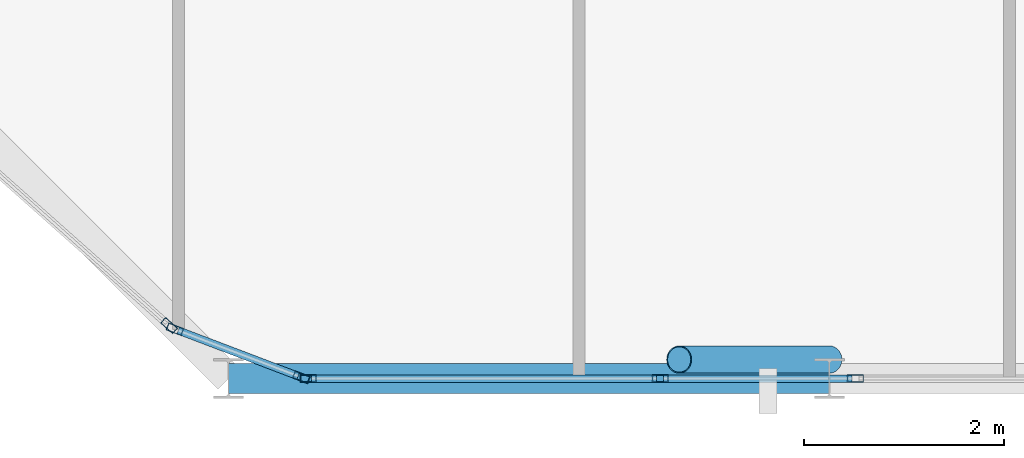
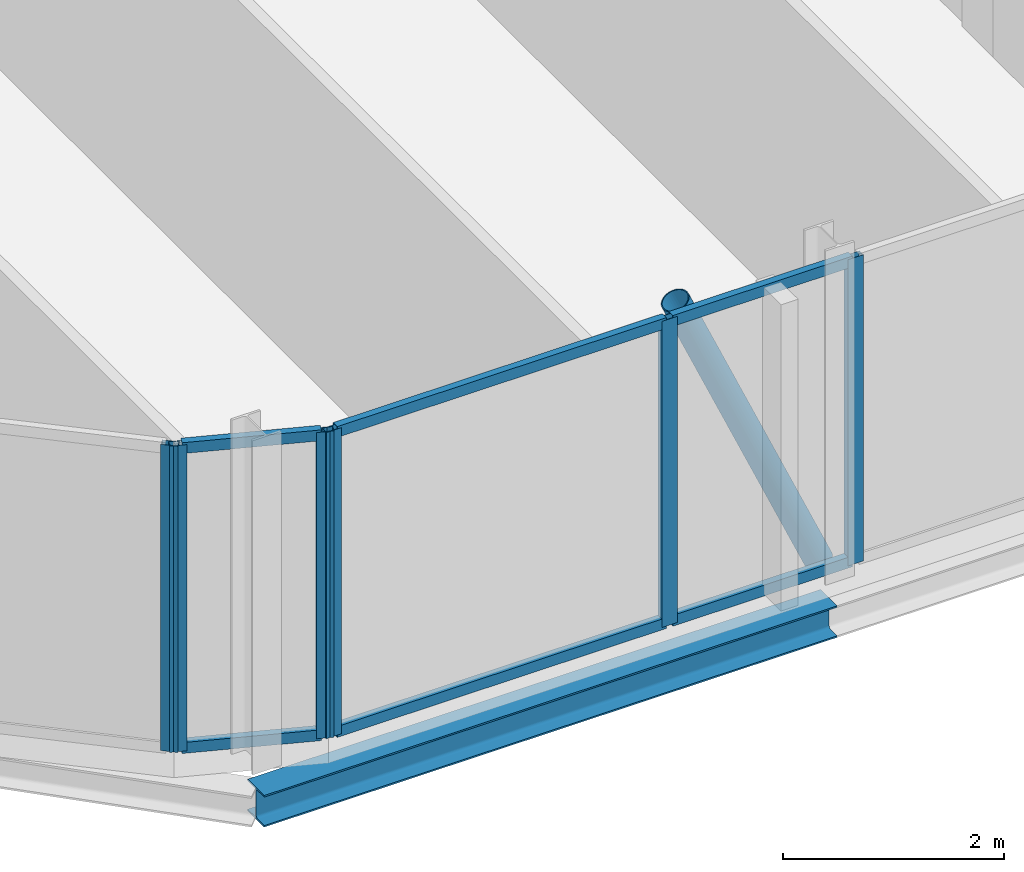
# One storey, part 6 of 27: 13 members, 1 beam, 5 elements without a shape of their own.
"""IFC4 building model written with IfcOpenShell, lengths in metres."""

from ifc_helpers import new_model, si_unit, direction, frame, origin, origin_2d, place, context, subcontext, project, spatial, hollow_rectangle, hollow_circle, i_section, extrude, material, layer, layer_set, material_profile, profile_set, type_object, element, aggregate, save


model = new_model("IFC4")

# Units and contexts
model_context = context("Model", 3, precision=1e-05, world=origin(), true_north=direction((0.0, 1.0)))
body_context = subcontext(model_context, "Body", "Model", "MODEL_VIEW")
ifc_project = project(units=[si_unit("LENGTHUNIT", "METRE"), si_unit("AREAUNIT", "SQUARE_METRE"), si_unit("VOLUMEUNIT", "CUBIC_METRE"), si_unit("PLANEANGLEUNIT", "RADIAN"), si_unit("MASSUNIT", "GRAM", prefix="KILO")], contexts=[model_context])

# Site, building, storey
site_placement = place(None, origin())
site = spatial("IfcSite", under=ifc_project, at=site_placement, CompositionType="ELEMENT")
building_placement = place(site_placement, origin())
building = spatial("IfcBuilding", under=site, at=building_placement, Name="Keshet Zoharim Tower", CompositionType="ELEMENT")
storey_placement = place(building_placement, frame((0.0, 0.0, 273.199951171875)))
storey = spatial("IfcBuildingStorey", under=building, at=storey_placement, Name="L68", CompositionType="ELEMENT", Elevation=273.199951171875)

# Beam
ifc_material_1 = material(Name="Steel S355", Category="steel")
ifc_material_profile_1 = material_profile(ifc_material_1, i_section(OverallWidth=0.300048828125, OverallDepth=0.35009765625, WebThickness=0.010009765625, FlangeThickness=0.017578125, FilletRadius=0.027099609375, at=origin_2d()), Name="HEA360")
ifc_profile_set_1 = profile_set([ifc_material_profile_1], Name="Steel S355")
beam_type = type_object("IfcBeamType", Name="BM-PRI-HA360", PredefinedType="BEAM", material=ifc_profile_set_1)
beam_placement = place(storey_placement, frame((21.0, 6.699951171875, -0.48486328125), z_axis=(1.0, 0.0, 0.0), x_axis=(0.0, 1.0, 0.0)))
element("IfcBeam", 1, at=beam_placement, inside=storey, type_object=beam_type, Name="L68 Primary Girder X-001", PredefinedType="BEAM", context=body_context, shape_type="SweptSolid", body=[
    extrude(i_section(OverallWidth=0.300048828125, OverallDepth=0.35009765625, WebThickness=0.010009765625, FlangeThickness=0.017578125, FilletRadius=0.027099609375, at=origin_2d()), origin(), (0.0, 0.0, 1.0), 6.0),
])

# Curtain wall, member
ifc_material_2 = material(Name="Aluminium 6063-T6", Category="aluminium")
ifc_layer = layer(ifc_material_2, 0.260009765625)
ifc_layer_set = layer_set([ifc_layer], Name="Aluminium 6063-T6")
curtain_wall_type = type_object("IfcCurtainWallType", Name="CW-SYS-06", PredefinedType="NOTDEFINED", material=ifc_layer_set)
curtain_wall_1_placement = place(storey_placement, origin())
curtain_wall_1 = element("IfcCurtainWall", 2, at=curtain_wall_1_placement, inside=storey, type_object=curtain_wall_type, Name="L68 Unitised Curtain Wall 14", PredefinedType="NOTDEFINED")
ifc_material_profile_2 = material_profile(ifc_material_2, hollow_rectangle(XDim=0.074951171875, YDim=0.159912109375, WallThickness=0.00390625, at=origin_2d()), Name="MUL-75x160")
ifc_profile_set_2 = profile_set([ifc_material_profile_2], Name="Aluminium 6063-T6")
member_type_1 = type_object("IfcMemberType", Name="CWM-M15", PredefinedType="MULLION", material=ifc_profile_set_2)
member_1_placement = place(storey_placement, frame((27.259765625, 6.699951171875, 0.0), z_axis=(0.0, 0.0, 1.0), x_axis=(0.0, -1.0, 0.0)))
member_1 = element("IfcMember", 3, at=member_1_placement, type_object=member_type_1, Name="CW-06 mullion 2", PredefinedType="MULLION", context=body_context, shape_type="SweptSolid", body=[
    extrude(hollow_rectangle(XDim=0.074951171875, YDim=0.159912109375, WallThickness=0.00390625, at=origin_2d()), origin(), (0.0, 0.0, 1.0), 3.39013671875),
])
aggregate(curtain_wall_1, [member_1])

curtain_wall_2_placement = place(storey_placement, origin())
curtain_wall_2 = element("IfcCurtainWall", 4, at=curtain_wall_2_placement, inside=storey, type_object=curtain_wall_type, Name="L68 Unitised Curtain Wall 14 Part 2", PredefinedType="NOTDEFINED")
member_2_placement = place(storey_placement, frame((25.310302734375, 6.699951171875, 0.0), z_axis=(0.0, 0.0, 1.0), x_axis=(0.0, -1.0, 0.0)))
member_2 = element("IfcMember", 5, at=member_2_placement, type_object=member_type_1, Name="CW-06 mullion 2", PredefinedType="MULLION", context=body_context, shape_type="SweptSolid", body=[
    extrude(hollow_rectangle(XDim=0.074951171875, YDim=0.159912109375, WallThickness=0.00390625, at=origin_2d()), origin(), (0.0, 0.0, 1.0), 3.39013671875),
])

curtain_wall_3_placement = place(storey_placement, origin())
curtain_wall_3 = element("IfcCurtainWall", 6, at=curtain_wall_3_placement, inside=storey, type_object=curtain_wall_type, Name="L68 Unitised Curtain Wall 14 Part 3", PredefinedType="NOTDEFINED")
member_3_placement = place(storey_placement, frame((21.794921875, 6.699951171875, 0.0), z_axis=(0.0, 0.0, 1.0), x_axis=(0.0, -1.0, 0.0)))
member_3 = element("IfcMember", 7, at=member_3_placement, type_object=member_type_1, Name="CW-06 mullion 2", PredefinedType="MULLION", context=body_context, shape_type="SweptSolid", body=[
    extrude(hollow_rectangle(XDim=0.074951171875, YDim=0.159912109375, WallThickness=0.00390625, at=origin_2d()), origin(), (0.0, 0.0, 1.0), 3.39013671875),
])

# Curtain wall, members
curtain_wall_4_placement = place(storey_placement, origin())
curtain_wall_4 = element("IfcCurtainWall", 8, at=curtain_wall_4_placement, inside=storey, type_object=curtain_wall_type, Name="L68 Unitised Curtain Wall 15", PredefinedType="NOTDEFINED")
member_4_placement = place(storey_placement, frame((21.727294921875, 6.71240234375, 0.0), z_axis=(0.0, 0.0, 1.0), x_axis=(-0.355439161326, -0.934699418314, 0.0)))
member_4 = element("IfcMember", 9, at=member_4_placement, type_object=member_type_1, Name="CW-06 mullion 1", PredefinedType="MULLION", context=body_context, shape_type="SweptSolid", body=[
    extrude(hollow_rectangle(XDim=0.074951171875, YDim=0.159912109375, WallThickness=0.00390625, at=origin_2d()), origin(), (0.0, 0.0, 1.0), 3.39013671875),
])
member_5_placement = place(storey_placement, frame((20.464599609375, 7.192626953125, 0.0), z_axis=(0.0, 0.0, 1.0), x_axis=(-0.355439161326, -0.934699418314, 0.0)))
member_5 = element("IfcMember", 10, at=member_5_placement, type_object=member_type_1, Name="CW-06 mullion 2", PredefinedType="MULLION", context=body_context, shape_type="SweptSolid", body=[
    extrude(hollow_rectangle(XDim=0.074951171875, YDim=0.159912109375, WallThickness=0.00390625, at=origin_2d()), origin(), (0.0, 0.0, 1.0), 3.39013671875),
])

# Curtain wall, member
curtain_wall_5_placement = place(storey_placement, origin())
curtain_wall_5 = element("IfcCurtainWall", 11, at=curtain_wall_5_placement, inside=storey, type_object=curtain_wall_type, Name="L68 Unitised Curtain Wall 16", PredefinedType="NOTDEFINED")
member_6_placement = place(storey_placement, frame((20.40576171875, 7.228271484375, 0.0), z_axis=(0.0, 0.0, 1.0), x_axis=(-0.664362180559, -0.747410792699, 0.0)))
member_6 = element("IfcMember", 12, at=member_6_placement, type_object=member_type_1, Name="CW-06 mullion 1", PredefinedType="MULLION", context=body_context, shape_type="SweptSolid", body=[
    extrude(hollow_rectangle(XDim=0.074951171875, YDim=0.159912109375, WallThickness=0.00390625, at=origin_2d()), origin(), (0.0, 0.0, 1.0), 3.39013671875),
])
aggregate(curtain_wall_5, [member_6])

# Member
ifc_material_profile_3 = material_profile(ifc_material_2, hollow_rectangle(XDim=0.074951171875, YDim=0.1201171875, WallThickness=0.00390625, at=origin_2d()), Name="TRN-75x120")
ifc_profile_set_3 = profile_set([ifc_material_profile_3], Name="Aluminium 6063-T6")
member_type_2 = type_object("IfcMemberType", Name="CWT-T12", PredefinedType="USERDEFINED", material=ifc_profile_set_3)
member_7_placement = place(storey_placement, frame((27.224853515625, 6.699951171875, 0.03515625), z_axis=(-1.0, 0.0, 0.0), x_axis=(0.0, -1.0, 0.0)))
member_7 = element("IfcMember", 13, at=member_7_placement, type_object=member_type_2, Name="CW-06 transom 1.1", ObjectType="TRANSOM", PredefinedType="USERDEFINED", context=body_context, shape_type="SweptSolid", body=[
    extrude(hollow_rectangle(XDim=0.074951171875, YDim=0.1201171875, WallThickness=0.00390625, at=origin_2d()), origin(), (0.0, 0.0, 1.0), 1.879638671875),
])

member_8_placement = place(storey_placement, frame((27.224853515625, 6.699951171875, 3.35498046875), z_axis=(-1.0, 0.0, 0.0), x_axis=(0.0, -1.0, 0.0)))
member_8 = element("IfcMember", 14, at=member_8_placement, type_object=member_type_2, Name="CW-06 transom 1.2", ObjectType="TRANSOM", PredefinedType="USERDEFINED", context=body_context, shape_type="SweptSolid", body=[
    extrude(hollow_rectangle(XDim=0.074951171875, YDim=0.1201171875, WallThickness=0.00390625, at=origin_2d()), origin(), (0.0, 0.0, 1.0), 1.879638671875),
])

aggregate(curtain_wall_2, [member_2, member_7, member_8])

member_9_placement = place(storey_placement, frame((25.275146484375, 6.699951171875, 0.03515625), z_axis=(-1.0, 0.0, 0.0), x_axis=(0.0, -1.0, 0.0)))
member_9 = element("IfcMember", 15, at=member_9_placement, type_object=member_type_2, Name="CW-06 transom 1.1", ObjectType="TRANSOM", PredefinedType="USERDEFINED", context=body_context, shape_type="SweptSolid", body=[
    extrude(hollow_rectangle(XDim=0.074951171875, YDim=0.1201171875, WallThickness=0.00390625, at=origin_2d()), origin(), (0.0, 0.0, 1.0), 3.445068359375),
])

member_10_placement = place(storey_placement, frame((25.275146484375, 6.699951171875, 3.35498046875), z_axis=(-1.0, 0.0, 0.0), x_axis=(0.0, -1.0, 0.0)))
member_10 = element("IfcMember", 16, at=member_10_placement, type_object=member_type_2, Name="CW-06 transom 1.2", ObjectType="TRANSOM", PredefinedType="USERDEFINED", context=body_context, shape_type="SweptSolid", body=[
    extrude(hollow_rectangle(XDim=0.074951171875, YDim=0.1201171875, WallThickness=0.00390625, at=origin_2d()), origin(), (0.0, 0.0, 1.0), 3.445068359375),
])

aggregate(curtain_wall_3, [member_3, member_9, member_10])

member_11_placement = place(storey_placement, frame((21.694580078125, 6.724853515625, 0.03515625), z_axis=(-0.934689881536, 0.355464239206, 0.0), x_axis=(-0.355464239206, -0.934689881536, 0.0)))
member_11 = element("IfcMember", 17, at=member_11_placement, type_object=member_type_2, Name="CW-06 transom 1.1", ObjectType="TRANSOM", PredefinedType="USERDEFINED", context=body_context, shape_type="SweptSolid", body=[
    extrude(hollow_rectangle(XDim=0.074951171875, YDim=0.1201171875, WallThickness=0.00390625, at=origin_2d()), origin(), (0.0, 0.0, 1.0), 1.281005859375),
])

member_12_placement = place(storey_placement, frame((21.694580078125, 6.724853515625, 3.35498046875), z_axis=(-0.934689881536, 0.355464239206, 0.0), x_axis=(-0.355464239206, -0.934689881536, 0.0)))
member_12 = element("IfcMember", 18, at=member_12_placement, type_object=member_type_2, Name="CW-06 transom 1.2", ObjectType="TRANSOM", PredefinedType="USERDEFINED", context=body_context, shape_type="SweptSolid", body=[
    extrude(hollow_rectangle(XDim=0.074951171875, YDim=0.1201171875, WallThickness=0.00390625, at=origin_2d()), origin(), (0.0, 0.0, 1.0), 1.281005859375),
])

aggregate(curtain_wall_4, [member_4, member_5, member_11, member_12])

ifc_material_profile_4 = material_profile(ifc_material_1, hollow_circle(Radius=0.136474609375, WallThickness=0.010009765625, at=origin_2d()), Name="CHS273x10")
ifc_profile_set_4 = profile_set([ifc_material_profile_4], Name="Steel S355")
member_type_3 = type_object("IfcMemberType", Name="MB-BR-C273", PredefinedType="BRACE", material=ifc_profile_set_4)
member_13_placement = place(storey_placement, frame((27.0, 6.889892578125, 0.0), z_axis=(-0.404622528463, 0.0, 0.914483793984), x_axis=(0.0, -1.0, 0.0)))
element("IfcMember", 19, at=member_13_placement, inside=storey, type_object=member_type_3, Name="L68 Perimeter Tube Brace 02", PredefinedType="BRACE", context=body_context, shape_type="SweptSolid", body=[
    extrude(hollow_circle(Radius=0.136474609375, WallThickness=0.010009765625, at=origin_2d()), origin(), (0.0, 0.0, 1.0), 3.707275390625),
])

save(model, "model.ifc")
